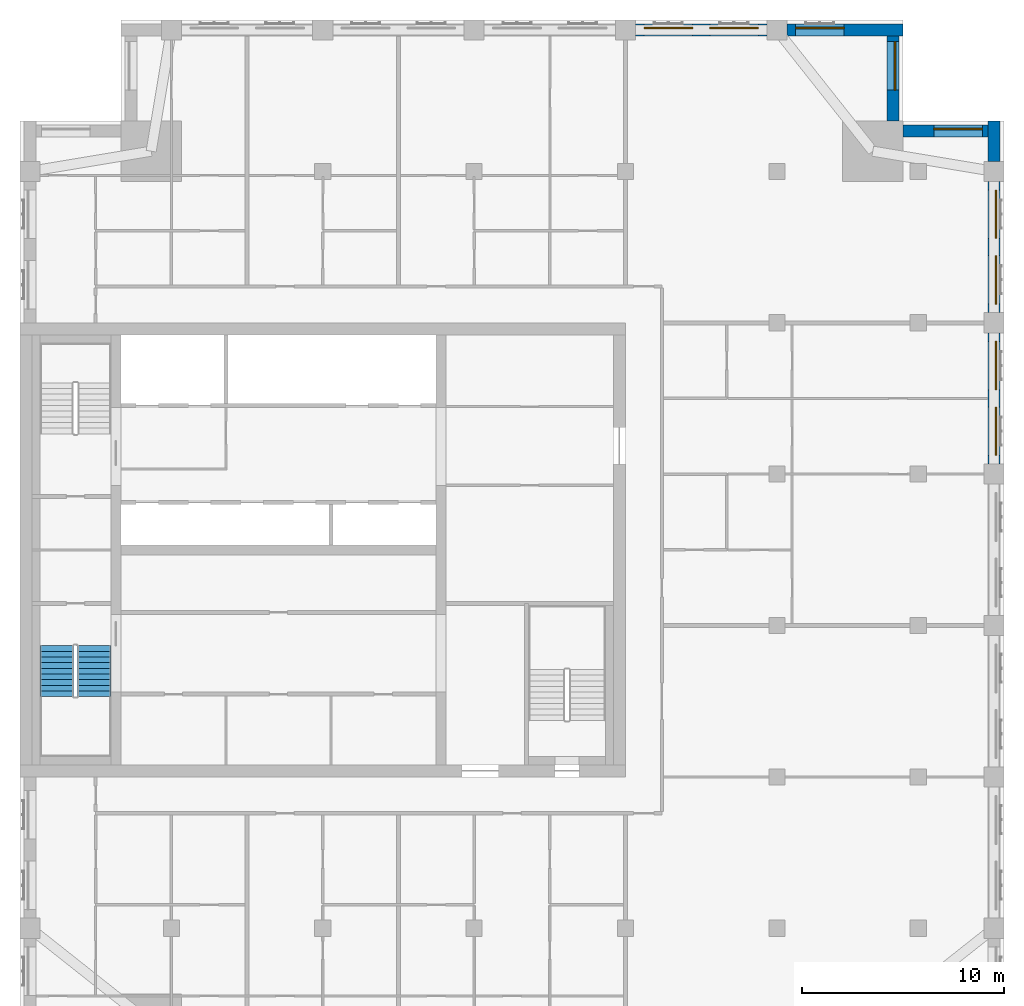
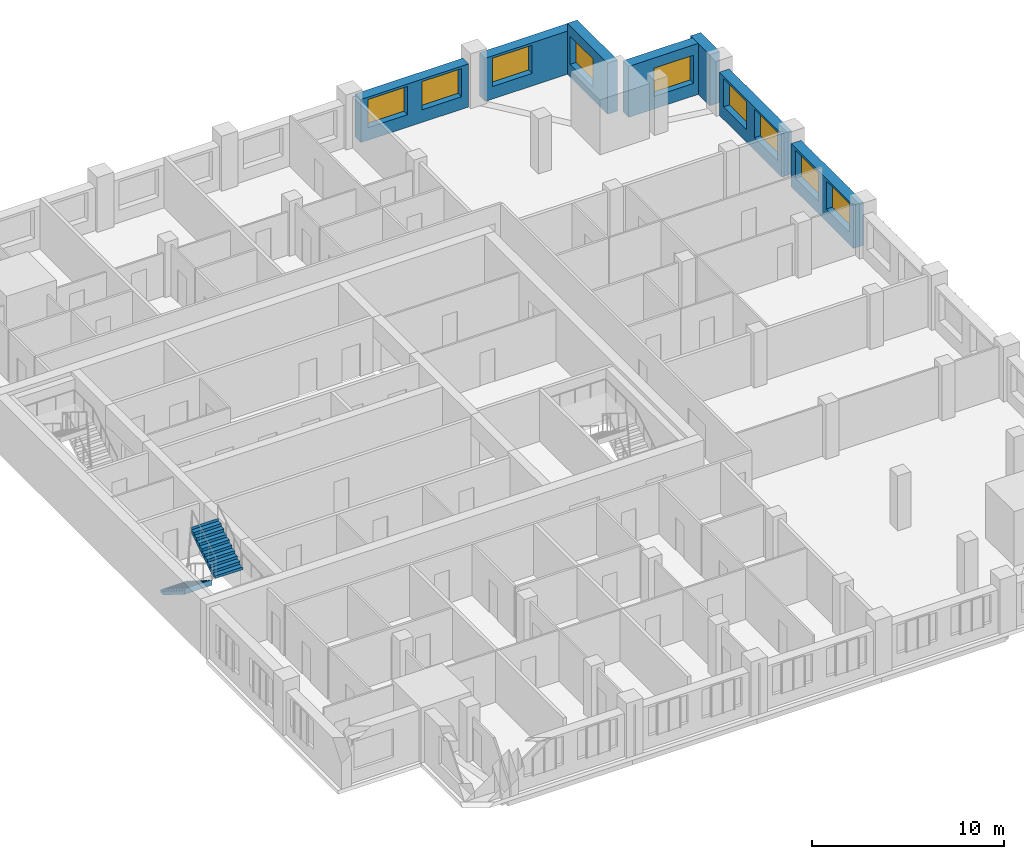
# One storey, part 8 of 10: 9 windows, 7 walls, 2 stair flights, 9 openings, 1 element without a shape of its own.
"""IFC4 building model written with IfcOpenShell, lengths in metres."""

from ifc_helpers import new_model, si_unit, direction, frame, frame_2d, origin, place, context, subcontext, project, spatial, polyline, rectangle, outline, extrude, material, layer, layer_set, type_object, element, fill, aggregate, save


model = new_model("IFC4")

# Units and contexts
model_context = context("Model", 3, precision=1e-05, world=origin(), true_north=direction((0.0, 1.0)))
body_context = subcontext(model_context, "Body", "Model", "MODEL_VIEW")
ifc_project = project(units=[si_unit("LENGTHUNIT", "METRE"), si_unit("AREAUNIT", "SQUARE_METRE"), si_unit("VOLUMEUNIT", "CUBIC_METRE"), si_unit("PLANEANGLEUNIT", "RADIAN"), si_unit("MASSUNIT", "GRAM", prefix="KILO")], contexts=[model_context])

# Site, building, storey
site_placement = place(None, origin())
site = spatial("IfcSite", under=ifc_project, at=site_placement, CompositionType="ELEMENT")
building_placement = place(site_placement, origin())
building = spatial("IfcBuilding", under=site, at=building_placement, Name="Tamorin Gate", CompositionType="ELEMENT")
storey_placement = place(building_placement, frame((0.0, 0.0, 223.199951171875)))
storey = spatial("IfcBuildingStorey", under=building, at=storey_placement, Name="L55", CompositionType="ELEMENT", Elevation=223.199951171875)

# Wall, openings, windows
ifc_material_1 = material(Name="Precast concrete C40/50", Category="concrete")
ifc_layer = layer(ifc_material_1, 0.60009765625)
ifc_layer_set = layer_set([ifc_layer], Name="Precast concrete C40/50")
wall_type = type_object("IfcWallType", Name="Board-marked concrete facade panel 600", PredefinedType="SOLIDWALL", material=ifc_layer_set)
wall_1_placement = place(storey_placement, frame((78.25, 75.5, 0.0), z_axis=(0.0, 0.0, 1.0), x_axis=(0.0, 1.0, 0.0)))
wall_1 = element("IfcWall", 1, at=wall_1_placement, inside=storey, type_object=wall_type, Name="Facade panel", PredefinedType="SOLIDWALL", context=body_context, shape_type="SweptSolid", body=[
    extrude(rectangle(XDim=6.5, YDim=0.60009765625, at=frame_2d((3.25, 0.0))), origin(), (0.0, 0.0, 1.0), 2.75),
])
opening_1_placement = place(wall_1_placement, frame((0.425048828125, 0.0, 0.800048828125)))
opening_1 = element("IfcOpeningElement", 2, at=opening_1_placement, cuts=wall_1, Name="Opening WN1", PredefinedType="OPENING", context=body_context, shape_type="SweptSolid", body=[
    extrude(rectangle(XDim=2.39990234375, YDim=1.800048828125, at=frame_2d((1.199951171875, 0.89990234375))), frame((0.0, 0.31005859375, 0.0), z_axis=(0.0, -1.0, 0.0), x_axis=(1.0, 0.0, 0.0)), (0.0, 0.0, 1.0), 0.6201171875),
])
opening_2_placement = place(wall_1_placement, frame((3.675048828125, 0.0, 0.800048828125)))
opening_2 = element("IfcOpeningElement", 3, at=opening_2_placement, cuts=wall_1, Name="Opening WN1", PredefinedType="OPENING", context=body_context, shape_type="SweptSolid", body=[
    extrude(rectangle(XDim=2.39990234375, YDim=1.800048828125, at=frame_2d((1.199951171875, 0.89990234375))), frame((0.0, 0.31005859375, 0.0), z_axis=(0.0, -1.0, 0.0), x_axis=(1.0, 0.0, 0.0)), (0.0, 0.0, 1.0), 0.6201171875),
])
ifc_material_2 = material(Name="Clear glass in aluminium frame", Category="aluminium")
window_type = type_object("IfcWindowType", Name="Deep-set window 2400x1800", PartitioningType="SINGLE_PANEL", PredefinedType="WINDOW", material=ifc_material_2)
window_1_placement = place(opening_1_placement, origin())
window_1 = element("IfcWindow", 4, at=window_1_placement, inside=storey, type_object=window_type, Name="Deep-set window", OverallHeight=1.800048828125, OverallWidth=2.39990234375, PartitioningType="SINGLE_PANEL", PredefinedType="WINDOW", context=body_context, shape_type="SweptSolid", body=[
    extrude(rectangle(XDim=2.39990234375, YDim=1.800048828125, at=frame_2d((1.199951171875, 0.89990234375))), frame((0.0, -0.070068359375, 0.0), z_axis=(0.0, -1.0, 0.0), x_axis=(1.0, 0.0, 0.0)), (0.0, 0.0, 1.0), 0.06005859375),
])
fill(opening_1, window_1)
window_2_placement = place(opening_2_placement, origin())
window_2 = element("IfcWindow", 5, at=window_2_placement, inside=storey, type_object=window_type, Name="Deep-set window", OverallHeight=1.800048828125, OverallWidth=2.39990234375, PartitioningType="SINGLE_PANEL", PredefinedType="WINDOW", context=body_context, shape_type="SweptSolid", body=[
    extrude(rectangle(XDim=2.39990234375, YDim=1.800048828125, at=frame_2d((1.199951171875, 0.89990234375))), frame((0.0, -0.070068359375, 0.0), z_axis=(0.0, -1.0, 0.0), x_axis=(1.0, 0.0, 0.0)), (0.0, 0.0, 1.0), 0.06005859375),
])
fill(opening_2, window_2)

wall_2_placement = place(storey_placement, frame((78.25, 83.0, 0.0), z_axis=(0.0, 0.0, 1.0), x_axis=(0.0, 1.0, 0.0)))
wall_2 = element("IfcWall", 6, at=wall_2_placement, inside=storey, type_object=wall_type, Name="Facade panel", PredefinedType="SOLIDWALL", context=body_context, shape_type="SweptSolid", body=[
    extrude(rectangle(XDim=6.5, YDim=0.60009765625, at=frame_2d((3.25, 0.0))), origin(), (0.0, 0.0, 1.0), 2.75),
])
opening_3_placement = place(wall_2_placement, frame((0.425048828125, 0.0, 0.800048828125)))
opening_3 = element("IfcOpeningElement", 7, at=opening_3_placement, cuts=wall_2, Name="Opening WN1", PredefinedType="OPENING", context=body_context, shape_type="SweptSolid", body=[
    extrude(rectangle(XDim=2.39990234375, YDim=1.800048828125, at=frame_2d((1.199951171875, 0.89990234375))), frame((0.0, 0.31005859375, 0.0), z_axis=(0.0, -1.0, 0.0), x_axis=(1.0, 0.0, 0.0)), (0.0, 0.0, 1.0), 0.6201171875),
])
opening_4_placement = place(wall_2_placement, frame((3.675048828125, 0.0, 0.800048828125)))
opening_4 = element("IfcOpeningElement", 8, at=opening_4_placement, cuts=wall_2, Name="Opening WN1", PredefinedType="OPENING", context=body_context, shape_type="SweptSolid", body=[
    extrude(rectangle(XDim=2.39990234375, YDim=1.800048828125, at=frame_2d((1.199951171875, 0.89990234375))), frame((0.0, 0.31005859375, 0.0), z_axis=(0.0, -1.0, 0.0), x_axis=(1.0, 0.0, 0.0)), (0.0, 0.0, 1.0), 0.6201171875),
])
window_3_placement = place(opening_3_placement, origin())
window_3 = element("IfcWindow", 9, at=window_3_placement, inside=storey, type_object=window_type, Name="Deep-set window", OverallHeight=1.800048828125, OverallWidth=2.39990234375, PartitioningType="SINGLE_PANEL", PredefinedType="WINDOW", context=body_context, shape_type="SweptSolid", body=[
    extrude(rectangle(XDim=2.39990234375, YDim=1.800048828125, at=frame_2d((1.199951171875, 0.89990234375))), frame((0.0, -0.070068359375, 0.0), z_axis=(0.0, -1.0, 0.0), x_axis=(1.0, 0.0, 0.0)), (0.0, 0.0, 1.0), 0.06005859375),
])
fill(opening_3, window_3)
window_4_placement = place(opening_4_placement, origin())
window_4 = element("IfcWindow", 10, at=window_4_placement, inside=storey, type_object=window_type, Name="Deep-set window", OverallHeight=1.800048828125, OverallWidth=2.39990234375, PartitioningType="SINGLE_PANEL", PredefinedType="WINDOW", context=body_context, shape_type="SweptSolid", body=[
    extrude(rectangle(XDim=2.39990234375, YDim=1.800048828125, at=frame_2d((1.199951171875, 0.89990234375))), frame((0.0, -0.070068359375, 0.0), z_axis=(0.0, -1.0, 0.0), x_axis=(1.0, 0.0, 0.0)), (0.0, 0.0, 1.0), 0.06005859375),
])
fill(opening_4, window_4)

# Wall
wall_3_placement = place(storey_placement, frame((78.25, 90.5, 0.0), z_axis=(0.0, 0.0, 1.0), x_axis=(0.0, 1.0, 0.0)))
element("IfcWall", 11, at=wall_3_placement, inside=storey, type_object=wall_type, Name="Facade panel", PredefinedType="SOLIDWALL", context=body_context, shape_type="SweptSolid", body=[
    extrude(rectangle(XDim=2.0, YDim=0.60009765625, at=frame_2d((1.0, 0.0))), origin(), (0.0, 0.0, 1.0), 3.25),
])

# Wall, opening, window
wall_4_placement = place(storey_placement, frame((77.949951171875, 92.0, 0.0), z_axis=(0.0, 0.0, 1.0), x_axis=(-1.0, 0.0, 0.0)))
wall_4 = element("IfcWall", 12, at=wall_4_placement, inside=storey, type_object=wall_type, Name="Facade panel", PredefinedType="SOLIDWALL", context=body_context, shape_type="SweptSolid", body=[
    extrude(rectangle(XDim=4.199951171875, YDim=0.60009765625, at=frame_2d((2.10009765625, 0.0))), origin(), (0.0, 0.0, 1.0), 3.25),
])
opening_5_placement = place(wall_4_placement, frame((0.27490234375, 0.0, 0.800048828125)))
opening_5 = element("IfcOpeningElement", 13, at=opening_5_placement, cuts=wall_4, Name="Opening WN1", PredefinedType="OPENING", context=body_context, shape_type="SweptSolid", body=[
    extrude(rectangle(XDim=2.39990234375, YDim=1.800048828125, at=frame_2d((1.199951171875, 0.89990234375))), frame((0.0, 0.31005859375, 0.0), z_axis=(0.0, -1.0, 0.0), x_axis=(1.0, 0.0, 0.0)), (0.0, 0.0, 1.0), 0.6201171875),
])
window_5_placement = place(opening_5_placement, origin())
window_5 = element("IfcWindow", 14, at=window_5_placement, inside=storey, type_object=window_type, Name="Deep-set window", OverallHeight=1.800048828125, OverallWidth=2.39990234375, PartitioningType="SINGLE_PANEL", PredefinedType="WINDOW", context=body_context, shape_type="SweptSolid", body=[
    extrude(rectangle(XDim=2.39990234375, YDim=1.800048828125, at=frame_2d((1.199951171875, 0.89990234375))), frame((0.0, -0.070068359375, 0.0), z_axis=(0.0, -1.0, 0.0), x_axis=(1.0, 0.0, 0.0)), (0.0, 0.0, 1.0), 0.06005859375),
])
fill(opening_5, window_5)

wall_5_placement = place(storey_placement, frame((73.25, 92.5, 0.0), z_axis=(0.0, 0.0, 1.0), x_axis=(0.0, 1.0, 0.0)))
wall_5 = element("IfcWall", 15, at=wall_5_placement, inside=storey, type_object=wall_type, Name="Facade panel", PredefinedType="SOLIDWALL", context=body_context, shape_type="SweptSolid", body=[
    extrude(rectangle(XDim=4.199951171875, YDim=0.60009765625, at=frame_2d((2.10009765625, 0.0))), origin(), (0.0, 0.0, 1.0), 3.25),
])
opening_6_placement = place(wall_5_placement, frame((1.52490234375, 0.0, 0.800048828125)))
opening_6 = element("IfcOpeningElement", 16, at=opening_6_placement, cuts=wall_5, Name="Opening WN1", PredefinedType="OPENING", context=body_context, shape_type="SweptSolid", body=[
    extrude(rectangle(XDim=2.39990234375, YDim=1.800048828125, at=frame_2d((1.199951171875, 0.89990234375))), frame((0.0, 0.31005859375, 0.0), z_axis=(0.0, -1.0, 0.0), x_axis=(1.0, 0.0, 0.0)), (0.0, 0.0, 1.0), 0.6201171875),
])
window_6_placement = place(opening_6_placement, origin())
window_6 = element("IfcWindow", 17, at=window_6_placement, inside=storey, type_object=window_type, Name="Deep-set window", OverallHeight=1.800048828125, OverallWidth=2.39990234375, PartitioningType="SINGLE_PANEL", PredefinedType="WINDOW", context=body_context, shape_type="SweptSolid", body=[
    extrude(rectangle(XDim=2.39990234375, YDim=1.800048828125, at=frame_2d((1.199951171875, 0.89990234375))), frame((0.0, -0.070068359375, 0.0), z_axis=(0.0, -1.0, 0.0), x_axis=(1.0, 0.0, 0.0)), (0.0, 0.0, 1.0), 0.06005859375),
])
fill(opening_6, window_6)

wall_6_placement = place(storey_placement, frame((73.75, 97.0, 0.0), z_axis=(0.0, 0.0, 1.0), x_axis=(-1.0, 0.0, 0.0)))
wall_6 = element("IfcWall", 18, at=wall_6_placement, inside=storey, type_object=wall_type, Name="Facade panel", PredefinedType="SOLIDWALL", context=body_context, shape_type="SweptSolid", body=[
    extrude(rectangle(XDim=5.75, YDim=0.60009765625, at=frame_2d((2.875, 0.0))), origin(), (0.0, 0.0, 1.0), 2.75),
])
opening_7_placement = place(wall_6_placement, frame((2.925048828125, 0.0, 0.800048828125)))
opening_7 = element("IfcOpeningElement", 19, at=opening_7_placement, cuts=wall_6, Name="Opening WN1", PredefinedType="OPENING", context=body_context, shape_type="SweptSolid", body=[
    extrude(rectangle(XDim=2.39990234375, YDim=1.800048828125, at=frame_2d((1.199951171875, 0.89990234375))), frame((0.0, 0.31005859375, 0.0), z_axis=(0.0, -1.0, 0.0), x_axis=(1.0, 0.0, 0.0)), (0.0, 0.0, 1.0), 0.6201171875),
])
window_7_placement = place(opening_7_placement, origin())
window_7 = element("IfcWindow", 20, at=window_7_placement, inside=storey, type_object=window_type, Name="Deep-set window", OverallHeight=1.800048828125, OverallWidth=2.39990234375, PartitioningType="SINGLE_PANEL", PredefinedType="WINDOW", context=body_context, shape_type="SweptSolid", body=[
    extrude(rectangle(XDim=2.39990234375, YDim=1.800048828125, at=frame_2d((1.199951171875, 0.89990234375))), frame((0.0, -0.070068359375, 0.0), z_axis=(0.0, -1.0, 0.0), x_axis=(1.0, 0.0, 0.0)), (0.0, 0.0, 1.0), 0.06005859375),
])
fill(opening_7, window_7)

# Wall, openings, windows
wall_7_placement = place(storey_placement, frame((67.0, 97.0, 0.0), z_axis=(0.0, 0.0, 1.0), x_axis=(-1.0, 0.0, 0.0)))
wall_7 = element("IfcWall", 21, at=wall_7_placement, inside=storey, type_object=wall_type, Name="Facade panel", PredefinedType="SOLIDWALL", context=body_context, shape_type="SweptSolid", body=[
    extrude(rectangle(XDim=6.5, YDim=0.60009765625, at=frame_2d((3.25, 0.0))), origin(), (0.0, 0.0, 1.0), 2.75),
])
opening_8_placement = place(wall_7_placement, frame((3.675048828125, 0.0, 0.800048828125)))
opening_8 = element("IfcOpeningElement", 22, at=opening_8_placement, cuts=wall_7, Name="Opening WN1", PredefinedType="OPENING", context=body_context, shape_type="SweptSolid", body=[
    extrude(rectangle(XDim=2.39990234375, YDim=1.800048828125, at=frame_2d((1.199951171875, 0.89990234375))), frame((0.0, 0.31005859375, 0.0), z_axis=(0.0, -1.0, 0.0), x_axis=(1.0, 0.0, 0.0)), (0.0, 0.0, 1.0), 0.6201171875),
])
opening_9_placement = place(wall_7_placement, frame((0.425048828125, 0.0, 0.800048828125)))
opening_9 = element("IfcOpeningElement", 23, at=opening_9_placement, cuts=wall_7, Name="Opening WN1", PredefinedType="OPENING", context=body_context, shape_type="SweptSolid", body=[
    extrude(rectangle(XDim=2.39990234375, YDim=1.800048828125, at=frame_2d((1.199951171875, 0.89990234375))), frame((0.0, 0.31005859375, 0.0), z_axis=(0.0, -1.0, 0.0), x_axis=(1.0, 0.0, 0.0)), (0.0, 0.0, 1.0), 0.6201171875),
])
window_8_placement = place(opening_8_placement, origin())
window_8 = element("IfcWindow", 24, at=window_8_placement, inside=storey, type_object=window_type, Name="Deep-set window", OverallHeight=1.800048828125, OverallWidth=2.39990234375, PartitioningType="SINGLE_PANEL", PredefinedType="WINDOW", context=body_context, shape_type="SweptSolid", body=[
    extrude(rectangle(XDim=2.39990234375, YDim=1.800048828125, at=frame_2d((1.199951171875, 0.89990234375))), frame((0.0, -0.070068359375, 0.0), z_axis=(0.0, -1.0, 0.0), x_axis=(1.0, 0.0, 0.0)), (0.0, 0.0, 1.0), 0.06005859375),
])
fill(opening_8, window_8)
window_9_placement = place(opening_9_placement, origin())
window_9 = element("IfcWindow", 25, at=window_9_placement, inside=storey, type_object=window_type, Name="Deep-set window", OverallHeight=1.800048828125, OverallWidth=2.39990234375, PartitioningType="SINGLE_PANEL", PredefinedType="WINDOW", context=body_context, shape_type="SweptSolid", body=[
    extrude(rectangle(XDim=2.39990234375, YDim=1.800048828125, at=frame_2d((1.199951171875, 0.89990234375))), frame((0.0, -0.070068359375, 0.0), z_axis=(0.0, -1.0, 0.0), x_axis=(1.0, 0.0, 0.0)), (0.0, 0.0, 1.0), 0.06005859375),
])
fill(opening_9, window_9)

# Stair, stair flights
ifc_material_3 = material(Name="Concrete C40/50", Category="concrete")
stair_type = type_object("IfcStairType", Name="Exit stair", PredefinedType="HALF_TURN_STAIR", material=ifc_material_3)
stair_placement = place(storey_placement, origin())
stair = element("IfcStair", 26, at=stair_placement, inside=storey, type_object=stair_type, Name="L55 stair ST1", PredefinedType="HALF_TURN_STAIR")
stair_flight_type = type_object("IfcStairFlightType", Name="Exit stair flight", PredefinedType="STRAIGHT", material=ifc_material_3)
stair_flight_1_placement = place(storey_placement, frame((31.824951171875, 66.5, 0.0), z_axis=(0.0, 0.0, 1.0), x_axis=(0.0, -1.0, 0.0)))
stair_flight_1 = element("IfcStairFlight", 27, at=stair_flight_1_placement, type_object=stair_flight_type, Name="ST1 flight 1", NumberOfRisers=10, NumberOfTreads=9, PredefinedType="STRAIGHT", RiserHeight=0.175, TreadLength=0.28, context=body_context, shape_type="SweptSolid", body=[
    extrude(outline(polyline([(-0.00048828125, 0.0), (-0.00048828125, 0.001708984375), (-0.00048828125, 0.00341796875), (-0.00048828125, 0.005126953125), (-0.00048828125, 0.0068359375), (-0.00048828125, 0.008544921875), (-0.00048828125, 0.010498046875), (-0.00048828125, 0.01220703125), (-0.00048828125, 0.013916015625), (-0.00048828125, 0.015625), (-0.00048828125, 0.017333984375), (-0.00048828125, 0.01904296875), (-0.00048828125, 0.020751953125), (-0.00048828125, 0.0224609375), (-0.00048828125, 0.024169921875), (-0.00048828125, 0.02587890625), (-0.00048828125, 0.02783203125), (-0.00048828125, 0.029541015625), (-0.00048828125, 0.03125), (-0.00048828125, 0.032958984375), (-0.00048828125, 0.03466796875), (-0.00048828125, 0.036376953125), (-0.00048828125, 0.0380859375), (-0.00048828125, 0.039794921875), (-0.00048828125, 0.04150390625), (-0.00048828125, 0.043212890625), (-0.00048828125, 0.045166015625), (-0.00048828125, 0.046875), (-0.00048828125, 0.048583984375), (-0.00048828125, 0.05029296875), (-0.00048828125, 0.052001953125), (-0.00048828125, 0.0537109375), (-0.00048828125, 0.055419921875), (-0.00048828125, 0.05712890625), (-0.00048828125, 0.058837890625), (-0.00048828125, 0.060546875), (-0.00048828125, 0.062255859375), (-0.00048828125, 0.064208984375), (-0.00048828125, 0.06591796875), (-0.00048828125, 0.067626953125), (-0.00048828125, 0.0693359375), (-0.00048828125, 0.071044921875), (-0.00048828125, 0.07275390625), (-0.00048828125, 0.074462890625), (-0.00048828125, 0.076171875), (-0.00048828125, 0.077880859375), (-0.00048828125, 0.07958984375), (-0.00048828125, 0.08154296875), (-0.00048828125, 0.083251953125), (-0.00048828125, 0.0849609375), (-0.00048828125, 0.086669921875), (-0.00048828125, 0.08837890625), (-0.00048828125, 0.090087890625), (-0.00048828125, 0.091796875), (-0.00048828125, 0.093505859375), (-0.00048828125, 0.09521484375), (-0.00048828125, 0.096923828125), (-0.00048828125, 0.098876953125), (-0.00048828125, 0.1005859375), (-0.00048828125, 0.102294921875), (-0.00048828125, 0.10400390625), (-0.00048828125, 0.105712890625), (-0.00048828125, 0.107421875), (-0.00048828125, 0.109130859375), (-0.00048828125, 0.11083984375), (-0.00048828125, 0.112548828125), (-0.00048828125, 0.1142578125), (-0.00048828125, 0.1162109375), (-0.00048828125, 0.117919921875), (-0.00048828125, 0.11962890625), (-0.00048828125, 0.121337890625), (-0.00048828125, 0.123046875), (-0.00048828125, 0.124755859375), (-0.00048828125, 0.12646484375), (-0.00048828125, 0.128173828125), (-0.00048828125, 0.1298828125), (-0.00048828125, 0.131591796875), (-0.00048828125, 0.13330078125), (-0.00048828125, 0.13525390625), (-0.00048828125, 0.136962890625), (-0.00048828125, 0.138671875), (-0.00048828125, 0.140380859375), (-0.00048828125, 0.14208984375), (-0.00048828125, 0.143798828125), (-0.00048828125, 0.1455078125), (-0.00048828125, 0.147216796875), (-0.00048828125, 0.14892578125), (-0.00048828125, 0.150634765625), (-0.00048828125, 0.152587890625), (-0.00048828125, 0.154296875), (-0.00048828125, 0.156005859375), (-0.00048828125, 0.15771484375), (-0.00048828125, 0.159423828125), (-0.00048828125, 0.1611328125), (-0.00048828125, 0.162841796875), (-0.00048828125, 0.16455078125), (-0.00048828125, 0.166259765625), (-0.00048828125, 0.16796875), (-0.00048828125, 0.169921875), (-0.00048828125, 0.171630859375), (-0.00048828125, 0.17333984375), (-0.00048828125, 0.175048828125), (0.280029296875, 0.175048828125), (0.280029296875, 0.35009765625), (0.56005859375, 0.35009765625), (0.56005859375, 0.52490234375), (0.840087890625, 0.52490234375), (0.840087890625, 0.699951171875), (1.1201171875, 0.699951171875), (1.1201171875, 0.875), (1.39990234375, 0.875), (1.39990234375, 1.050048828125), (1.679931640625, 1.050048828125), (1.679931640625, 1.22509765625), (1.9599609375, 1.22509765625), (1.9599609375, 1.39990234375), (2.239990234375, 1.39990234375), (2.239990234375, 1.574951171875), (2.52001953125, 1.574951171875), (2.52001953125, 1.75), (2.5205078125, 1.75), (2.5205078125, 1.74658203125), (2.5205078125, 1.742919921875), (2.5205078125, 1.739501953125), (2.5205078125, 1.736083984375), (2.5205078125, 1.732666015625), (2.5205078125, 1.72900390625), (2.5205078125, 1.7255859375), (2.5205078125, 1.72216796875), (2.5205078125, 1.71875), (2.5205078125, 1.715087890625), (2.5205078125, 1.711669921875), (2.5205078125, 1.708251953125), (2.5205078125, 1.704833984375), (2.5205078125, 1.701171875), (2.5205078125, 1.69775390625), (2.5205078125, 1.6943359375), (2.5205078125, 1.690673828125), (2.5205078125, 1.687255859375), (2.5205078125, 1.683837890625), (2.5205078125, 1.680419921875), (2.5205078125, 1.6767578125), (2.5205078125, 1.67333984375), (2.5205078125, 1.669921875), (2.5205078125, 1.66650390625), (2.5205078125, 1.662841796875), (2.5205078125, 1.659423828125), (2.5205078125, 1.656005859375), (2.5205078125, 1.652587890625), (2.5205078125, 1.64892578125), (2.5205078125, 1.6455078125), (2.5205078125, 1.64208984375), (2.5205078125, 1.638427734375), (2.5205078125, 1.635009765625), (2.5205078125, 1.631591796875), (2.5205078125, 1.628173828125), (2.5205078125, 1.62451171875), (2.5205078125, 1.62109375), (2.5205078125, 1.61767578125), (2.5205078125, 1.6142578125), (2.5205078125, 1.610595703125), (2.5205078125, 1.607177734375), (2.5205078125, 1.603759765625), (2.5205078125, 1.600341796875), (2.5205078125, 1.5966796875), (2.5205078125, 1.59326171875), (2.5205078125, 1.58984375), (2.5205078125, 1.58642578125), (2.5205078125, 1.582763671875), (2.5205078125, 1.579345703125), (2.5205078125, 1.575927734375), (2.5205078125, 1.572265625), (2.5205078125, 1.56884765625), (2.5205078125, 1.5654296875), (2.5205078125, 1.56201171875), (2.5205078125, 1.558349609375), (2.5205078125, 1.554931640625), (2.5205078125, 1.551513671875), (2.5205078125, 1.548095703125), (2.5205078125, 1.54443359375), (2.5205078125, 1.541015625), (2.5205078125, 1.53759765625), (2.5205078125, 1.5341796875), (2.5205078125, 1.530517578125), (2.5205078125, 1.527099609375), (2.5205078125, 1.523681640625), (2.5205078125, 1.52001953125), (2.5205078125, 1.5166015625), (2.5205078125, 1.51318359375), (2.5205078125, 1.509765625), (2.5205078125, 1.506103515625), (2.5205078125, 1.502685546875), (2.5205078125, 1.499267578125), (2.5205078125, 1.495849609375), (2.5205078125, 1.4921875), (2.5205078125, 1.48876953125), (2.5205078125, 1.4853515625), (2.5205078125, 1.48193359375), (2.5205078125, 1.478271484375), (2.5205078125, 1.474853515625), (2.5205078125, 1.471435546875), (2.5205078125, 1.4677734375), (2.5205078125, 1.46435546875), (2.5205078125, 1.4609375), (2.5205078125, 1.45751953125), (2.5205078125, 1.453857421875), (2.5205078125, 1.450439453125), (2.5205078125, 1.447021484375), (2.5205078125, 1.443603515625), (2.5205078125, 1.43994140625), (2.5205078125, 1.4365234375), (2.5205078125, 1.43310546875), (2.5205078125, 1.4296875), (2.5205078125, 1.426025390625), (2.5205078125, 1.422607421875), (2.5205078125, 1.419189453125), (2.5205078125, 1.41552734375), (2.5205078125, 1.412109375), (2.5205078125, 1.40869140625), (2.5205078125, 1.4052734375), (2.5205078125, 1.401611328125), (2.5205078125, 1.398193359375), (2.52001953125, 1.398193359375), (0.28271484375, 0.0), (-0.00048828125, 0.0)])), frame((0.0, 0.824951171875, 0.0), z_axis=(0.0, -1.0, 0.0), x_axis=(1.0, 0.0, 0.0)), (0.0, 0.0, 1.0), 1.64990234375),
])
stair_flight_2_placement = place(storey_placement, frame((33.675048828125, 63.97998046875, 1.75), z_axis=(0.0, 0.0, 1.0), x_axis=(0.0, 1.0, 0.0)))
stair_flight_2 = element("IfcStairFlight", 28, at=stair_flight_2_placement, type_object=stair_flight_type, Name="ST1 flight 2", NumberOfRisers=10, NumberOfTreads=9, PredefinedType="STRAIGHT", RiserHeight=0.175, TreadLength=0.28, context=body_context, shape_type="SweptSolid", body=[
    extrude(outline(polyline([(-0.00048828125, 0.0), (-0.00048828125, 0.001708984375), (-0.00048828125, 0.00341796875), (-0.00048828125, 0.005126953125), (-0.00048828125, 0.0068359375), (-0.00048828125, 0.008544921875), (-0.00048828125, 0.010498046875), (-0.00048828125, 0.01220703125), (-0.00048828125, 0.013916015625), (-0.00048828125, 0.015625), (-0.00048828125, 0.017333984375), (-0.00048828125, 0.01904296875), (-0.00048828125, 0.020751953125), (-0.00048828125, 0.0224609375), (-0.00048828125, 0.024169921875), (-0.00048828125, 0.02587890625), (-0.00048828125, 0.02783203125), (-0.00048828125, 0.029541015625), (-0.00048828125, 0.03125), (-0.00048828125, 0.032958984375), (-0.00048828125, 0.03466796875), (-0.00048828125, 0.036376953125), (-0.00048828125, 0.0380859375), (-0.00048828125, 0.039794921875), (-0.00048828125, 0.04150390625), (-0.00048828125, 0.043212890625), (-0.00048828125, 0.045166015625), (-0.00048828125, 0.046875), (-0.00048828125, 0.048583984375), (-0.00048828125, 0.05029296875), (-0.00048828125, 0.052001953125), (-0.00048828125, 0.0537109375), (-0.00048828125, 0.055419921875), (-0.00048828125, 0.05712890625), (-0.00048828125, 0.058837890625), (-0.00048828125, 0.060546875), (-0.00048828125, 0.062255859375), (-0.00048828125, 0.064208984375), (-0.00048828125, 0.06591796875), (-0.00048828125, 0.067626953125), (-0.00048828125, 0.0693359375), (-0.00048828125, 0.071044921875), (-0.00048828125, 0.07275390625), (-0.00048828125, 0.074462890625), (-0.00048828125, 0.076171875), (-0.00048828125, 0.077880859375), (-0.00048828125, 0.07958984375), (-0.00048828125, 0.08154296875), (-0.00048828125, 0.083251953125), (-0.00048828125, 0.0849609375), (-0.00048828125, 0.086669921875), (-0.00048828125, 0.08837890625), (-0.00048828125, 0.090087890625), (-0.00048828125, 0.091796875), (-0.00048828125, 0.093505859375), (-0.00048828125, 0.09521484375), (-0.00048828125, 0.096923828125), (-0.00048828125, 0.098876953125), (-0.00048828125, 0.1005859375), (-0.00048828125, 0.102294921875), (-0.00048828125, 0.10400390625), (-0.00048828125, 0.105712890625), (-0.00048828125, 0.107421875), (-0.00048828125, 0.109130859375), (-0.00048828125, 0.11083984375), (-0.00048828125, 0.112548828125), (-0.00048828125, 0.1142578125), (-0.00048828125, 0.1162109375), (-0.00048828125, 0.117919921875), (-0.00048828125, 0.11962890625), (-0.00048828125, 0.121337890625), (-0.00048828125, 0.123046875), (-0.00048828125, 0.124755859375), (-0.00048828125, 0.12646484375), (-0.00048828125, 0.128173828125), (-0.00048828125, 0.1298828125), (-0.00048828125, 0.131591796875), (-0.00048828125, 0.13330078125), (-0.00048828125, 0.13525390625), (-0.00048828125, 0.136962890625), (-0.00048828125, 0.138671875), (-0.00048828125, 0.140380859375), (-0.00048828125, 0.14208984375), (-0.00048828125, 0.143798828125), (-0.00048828125, 0.1455078125), (-0.00048828125, 0.147216796875), (-0.00048828125, 0.14892578125), (-0.00048828125, 0.150634765625), (-0.00048828125, 0.152587890625), (-0.00048828125, 0.154296875), (-0.00048828125, 0.156005859375), (-0.00048828125, 0.15771484375), (-0.00048828125, 0.159423828125), (-0.00048828125, 0.1611328125), (-0.00048828125, 0.162841796875), (-0.00048828125, 0.16455078125), (-0.00048828125, 0.166259765625), (-0.00048828125, 0.16796875), (-0.00048828125, 0.169921875), (-0.00048828125, 0.171630859375), (-0.00048828125, 0.17333984375), (-0.00048828125, 0.175048828125), (0.280029296875, 0.175048828125), (0.280029296875, 0.35009765625), (0.56005859375, 0.35009765625), (0.56005859375, 0.52490234375), (0.840087890625, 0.52490234375), (0.840087890625, 0.699951171875), (1.1201171875, 0.699951171875), (1.1201171875, 0.875), (1.39990234375, 0.875), (1.39990234375, 1.050048828125), (1.679931640625, 1.050048828125), (1.679931640625, 1.22509765625), (1.9599609375, 1.22509765625), (1.9599609375, 1.39990234375), (2.239990234375, 1.39990234375), (2.239990234375, 1.574951171875), (2.52001953125, 1.574951171875), (2.52001953125, 1.75), (2.5205078125, 1.75), (2.5205078125, 1.74658203125), (2.5205078125, 1.742919921875), (2.5205078125, 1.739501953125), (2.5205078125, 1.736083984375), (2.5205078125, 1.732666015625), (2.5205078125, 1.72900390625), (2.5205078125, 1.7255859375), (2.5205078125, 1.72216796875), (2.5205078125, 1.71875), (2.5205078125, 1.715087890625), (2.5205078125, 1.711669921875), (2.5205078125, 1.708251953125), (2.5205078125, 1.704833984375), (2.5205078125, 1.701171875), (2.5205078125, 1.69775390625), (2.5205078125, 1.6943359375), (2.5205078125, 1.690673828125), (2.5205078125, 1.687255859375), (2.5205078125, 1.683837890625), (2.5205078125, 1.680419921875), (2.5205078125, 1.6767578125), (2.5205078125, 1.67333984375), (2.5205078125, 1.669921875), (2.5205078125, 1.66650390625), (2.5205078125, 1.662841796875), (2.5205078125, 1.659423828125), (2.5205078125, 1.656005859375), (2.5205078125, 1.652587890625), (2.5205078125, 1.64892578125), (2.5205078125, 1.6455078125), (2.5205078125, 1.64208984375), (2.5205078125, 1.638427734375), (2.5205078125, 1.635009765625), (2.5205078125, 1.631591796875), (2.5205078125, 1.628173828125), (2.5205078125, 1.62451171875), (2.5205078125, 1.62109375), (2.5205078125, 1.61767578125), (2.5205078125, 1.6142578125), (2.5205078125, 1.610595703125), (2.5205078125, 1.607177734375), (2.5205078125, 1.603759765625), (2.5205078125, 1.600341796875), (2.5205078125, 1.5966796875), (2.5205078125, 1.59326171875), (2.5205078125, 1.58984375), (2.5205078125, 1.58642578125), (2.5205078125, 1.582763671875), (2.5205078125, 1.579345703125), (2.5205078125, 1.575927734375), (2.5205078125, 1.572265625), (2.5205078125, 1.56884765625), (2.5205078125, 1.5654296875), (2.5205078125, 1.56201171875), (2.5205078125, 1.558349609375), (2.5205078125, 1.554931640625), (2.5205078125, 1.551513671875), (2.5205078125, 1.548095703125), (2.5205078125, 1.54443359375), (2.5205078125, 1.541015625), (2.5205078125, 1.53759765625), (2.5205078125, 1.5341796875), (2.5205078125, 1.530517578125), (2.5205078125, 1.527099609375), (2.5205078125, 1.523681640625), (2.5205078125, 1.52001953125), (2.5205078125, 1.5166015625), (2.5205078125, 1.51318359375), (2.5205078125, 1.509765625), (2.5205078125, 1.506103515625), (2.5205078125, 1.502685546875), (2.5205078125, 1.499267578125), (2.5205078125, 1.495849609375), (2.5205078125, 1.4921875), (2.5205078125, 1.48876953125), (2.5205078125, 1.4853515625), (2.5205078125, 1.48193359375), (2.5205078125, 1.478271484375), (2.5205078125, 1.474853515625), (2.5205078125, 1.471435546875), (2.5205078125, 1.4677734375), (2.5205078125, 1.46435546875), (2.5205078125, 1.4609375), (2.5205078125, 1.45751953125), (2.5205078125, 1.453857421875), (2.5205078125, 1.450439453125), (2.5205078125, 1.447021484375), (2.5205078125, 1.443603515625), (2.5205078125, 1.43994140625), (2.5205078125, 1.4365234375), (2.5205078125, 1.43310546875), (2.5205078125, 1.4296875), (2.5205078125, 1.426025390625), (2.5205078125, 1.422607421875), (2.5205078125, 1.419189453125), (2.5205078125, 1.41552734375), (2.5205078125, 1.412109375), (2.5205078125, 1.40869140625), (2.5205078125, 1.4052734375), (2.5205078125, 1.401611328125), (2.5205078125, 1.398193359375), (2.52001953125, 1.398193359375), (0.28271484375, 0.0), (-0.00048828125, 0.0)])), frame((0.0, 0.824951171875, 0.0), z_axis=(0.0, -1.0, 0.0), x_axis=(1.0, 0.0, 0.0)), (0.0, 0.0, 1.0), 1.64990234375),
])
aggregate(stair, [stair_flight_1, stair_flight_2])

save(model, "model.ifc")
